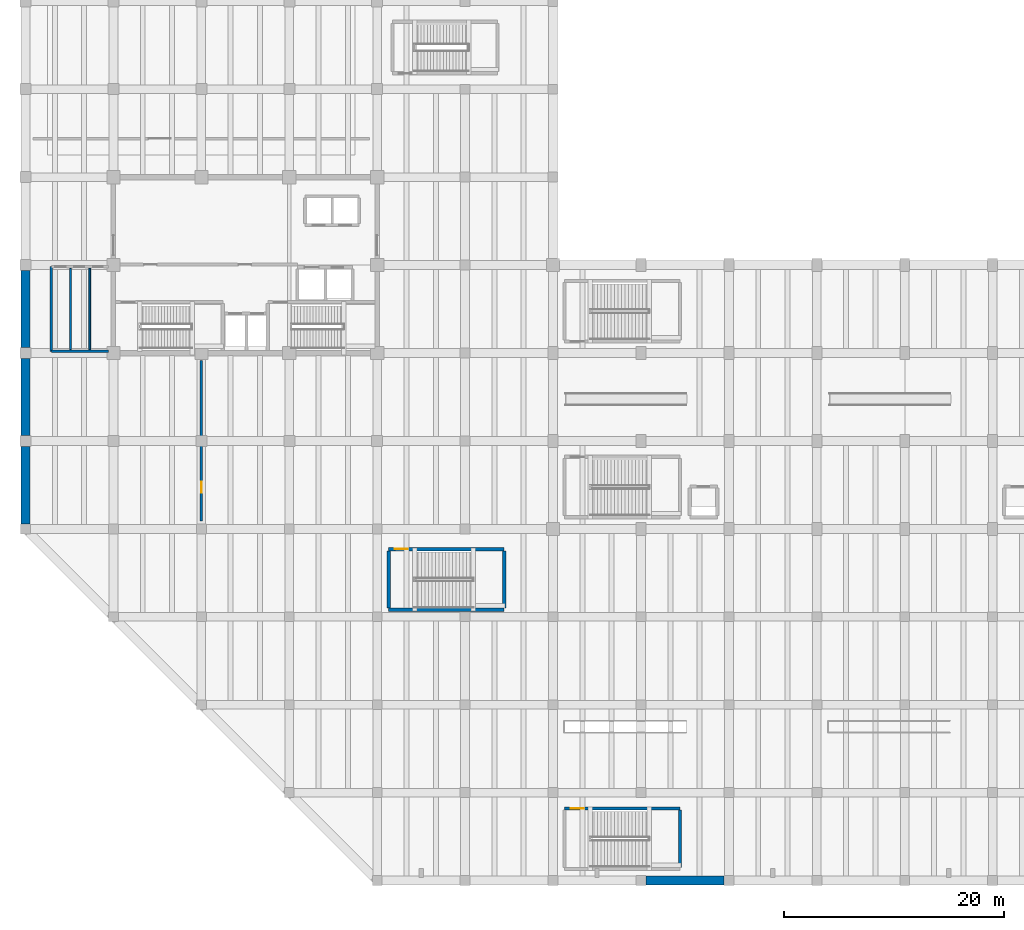
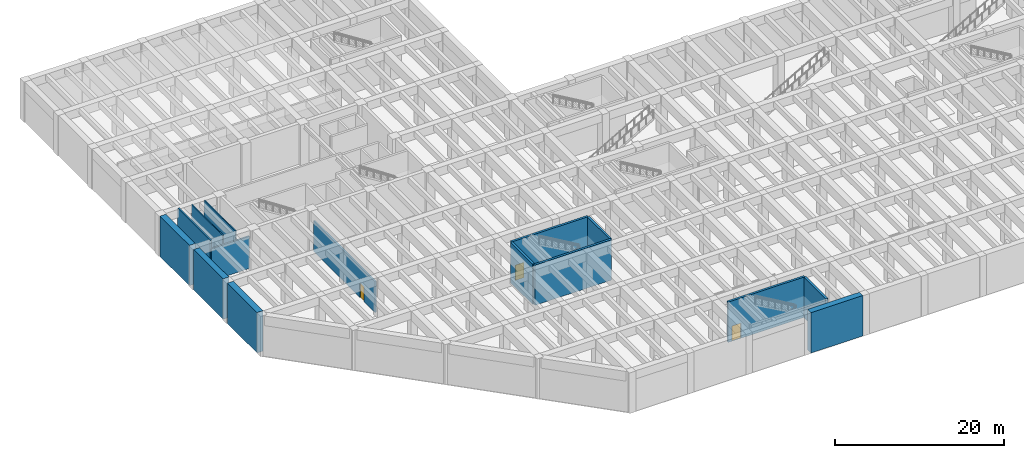
# One storey, part 7 of 24: 15 walls, 3 doors, 3 openings.
"""IFC4 building model written with IfcOpenShell, lengths in metres."""

from ifc_helpers import new_model, si_unit, direction, frame, frame_2d, origin, place, context, subcontext, project, spatial, rectangle, extrude, material, layer, layer_set, type_object, element, fill, save


model = new_model("IFC4")

# Units and contexts
model_context = context("Model", 3, precision=1e-05, world=origin(), true_north=direction((0.0, 1.0)))
body_context = subcontext(model_context, "Body", "Model", "MODEL_VIEW")
ifc_project = project(units=[si_unit("LENGTHUNIT", "METRE"), si_unit("AREAUNIT", "SQUARE_METRE"), si_unit("VOLUMEUNIT", "CUBIC_METRE"), si_unit("PLANEANGLEUNIT", "RADIAN"), si_unit("MASSUNIT", "GRAM", prefix="KILO")], contexts=[model_context])

# Site, building, storey
site_placement = place(None, origin())
site = spatial("IfcSite", under=ifc_project, at=site_placement, CompositionType="ELEMENT")
building_placement = place(site_placement, origin())
building = spatial("IfcBuilding", under=site, at=building_placement, Name="Varnela Railside Interchange", CompositionType="ELEMENT")
storey_placement = place(building_placement, frame((0.0, 0.0, -6.300048828125)))
storey = spatial("IfcBuildingStorey", under=building, at=storey_placement, Name="B1", CompositionType="ELEMENT", Elevation=-6.300048828125)

# Walls
ifc_material_1 = material(Name="Gypsum acoustic board")
ifc_layer_1 = layer(ifc_material_1, 0.14990234375)
ifc_layer_set_1 = layer_set([ifc_layer_1], Name="Gypsum acoustic board")
wall_type_1 = type_object("IfcWallType", Name="Acoustic Drywall Partition IW-01", PredefinedType="PARTITIONING", material=ifc_layer_set_1)
for number, where, z_axis, x_axis, name in (
    (1, (8.10009765625, 54.300048828125, 0.0), (0.0, 0.0, 1.0), (0.0, 1.0, 0.0), "Acoustic Drywall Partition IW-01 (B1) (WL-0245)"),
    (2, (9.85009765625, 54.300048828125, 0.0), (0.0, 0.0, 1.0), (0.0, 1.0, 0.0), "Acoustic Drywall Partition IW-01 (B1) (WL-0246)"),
):
    element("IfcWall", number, at=place(storey_placement, frame(where, z_axis=z_axis, x_axis=x_axis)), inside=storey, type_object=wall_type_1, Name=name, PredefinedType="PARTITIONING", context=body_context, shape_type="SweptSolid", body=[
        extrude(rectangle(XDim=7.39990234375, YDim=0.14990234375, at=frame_2d((3.699951171875, 0.0))), origin(), (0.0, 0.0, 1.0), 5.85009765625),
    ])

# Wall, opening, door
ifc_material_2 = material(Name="Concrete C40", Category="concrete")
ifc_layer_2 = layer(ifc_material_2, 0.22998046875)
ifc_layer_set_2 = layer_set([ifc_layer_2], Name="Concrete C40")
wall_type_2 = type_object("IfcWallType", Name="Fire Compartment Wall EI90 FW-02", PredefinedType="SOLIDWALL", material=ifc_layer_set_2)
wall_1_placement = place(storey_placement, frame((20.0, 38.699951171875, 0.0), z_axis=(0.0, 0.0, 1.0), x_axis=(0.0, 1.0, 0.0)))
wall_1 = element("IfcWall", 3, at=wall_1_placement, inside=storey, type_object=wall_type_2, Name="Fire Compartment Wall EI90 FW-02 (B1) (WL-0244)", PredefinedType="SOLIDWALL", context=body_context, shape_type="SweptSolid", body=[
    extrude(rectangle(XDim=14.60009765625, YDim=0.219970703125, at=frame_2d((7.300048828125, 0.0))), origin(), (0.0, 0.0, 1.0), 4.449951171875),
])
opening_1_placement = place(wall_1_placement, frame((2.60009765625, 0.0, 0.0)))
opening_1 = element("IfcOpeningElement", 4, at=opening_1_placement, cuts=wall_1, Name="Opening D-145", PredefinedType="OPENING", context=body_context, shape_type="SweptSolid", body=[
    extrude(rectangle(XDim=1.0, YDim=2.14990234375, at=frame_2d((0.5, 1.074951171875))), frame((0.0, 0.119873046875, 0.0), z_axis=(0.0, -1.0, 0.0), x_axis=(1.0, 0.0, 0.0)), (0.0, 0.0, 1.0), 0.239990234375),
])
ifc_material_3 = material(Name="Steel AR 350 (350 MPa)", Category="steel")
door_type_1 = type_object("IfcDoorType", Name="DR-SGL-1000-FD60", OperationType="NOTDEFINED", PredefinedType="DOOR", material=ifc_material_3)
door_1_placement = place(opening_1_placement, origin())
door_1 = element("IfcDoor", 5, at=door_1_placement, inside=storey, type_object=door_type_1, Name="Door D-145", OperationType="SINGLE_SWING_RIGHT", OverallHeight=2.14990234375, OverallWidth=1.0, PredefinedType="DOOR", context=body_context, shape_type="SweptSolid", body=[
    extrude(rectangle(XDim=1.0, YDim=2.14990234375, at=frame_2d((0.5, 1.074951171875))), frame((0.0, 0.02490234375, 0.0), z_axis=(0.0, -1.0, 0.0), x_axis=(1.0, 0.0, 0.0)), (0.0, 0.0, 1.0), 0.050048828125),
])
fill(opening_1, door_1)

# Walls
ifc_material_4 = material(Name="Masonry concrete block", Category="masonry")
ifc_layer_3 = layer(ifc_material_4, 0.2099609375)
ifc_layer_set_3 = layer_set([ifc_layer_3], Name="Masonry concrete block")
wall_type_3 = type_object("IfcWallType", Name="Sanitary Plumbing Chase Wall IW-04", PredefinedType="PLUMBINGWALL", material=ifc_layer_set_3)
wall_2_placement = place(storey_placement, frame((6.35009765625, 54.14990234375, 0.0), z_axis=(0.0, 0.0, 1.0), x_axis=(1.0, 0.0, 0.0)))
element("IfcWall", 6, at=wall_2_placement, inside=storey, type_object=wall_type_3, Name="Sanitary Plumbing Chase Wall IW-04 (B1) (WL-0248)", PredefinedType="PLUMBINGWALL", context=body_context, shape_type="SweptSolid", body=[
    extrude(rectangle(XDim=5.199951171875, YDim=0.2099609375, at=frame_2d((2.60009765625, 0.0))), origin(), (0.0, 0.0, 1.0), 4.650146484375),
])
wall_3_placement = place(storey_placement, frame((6.35009765625, 54.14990234375, 0.0), z_axis=(0.0, 0.0, 1.0), x_axis=(0.0, 1.0, 0.0)))
element("IfcWall", 7, at=wall_3_placement, inside=storey, type_object=wall_type_3, Name="Sanitary Plumbing Chase Wall IW-04 (B1) (WL-0249)", PredefinedType="PLUMBINGWALL", context=body_context, shape_type="SweptSolid", body=[
    extrude(rectangle(XDim=7.7001953125, YDim=0.2099609375, at=frame_2d((3.85009765625, 0.0))), origin(), (0.0, 0.0, 1.0), 5.85009765625),
])

# Wall, opening, door
ifc_material_5 = material(Name="Concrete C50", Category="concrete")
ifc_layer_4 = layer(ifc_material_5, 0.300048828125)
ifc_layer_set_4 = layer_set([ifc_layer_4], Name="Concrete C50")
wall_type_4 = type_object("IfcWallType", Name="Stair & Lift Shaft Wall SW-03", PredefinedType="SHEAR", material=ifc_layer_set_4)
wall_4_placement = place(storey_placement, frame((37.050048828125, 36.14990234375, 0.0), z_axis=(0.0, 0.0, 1.0), x_axis=(1.0, 0.0, 0.0)))
wall_4 = element("IfcWall", 8, at=wall_4_placement, inside=storey, type_object=wall_type_4, Name="Stair & Lift Shaft Wall SW-03 (B1) (WL-0291)", PredefinedType="SHEAR", context=body_context, shape_type="SweptSolid", body=[
    extrude(rectangle(XDim=10.5, YDim=0.300048828125, at=frame_2d((5.25, 0.0))), origin(), (0.0, 0.0, 1.0), 5.85009765625),
])
opening_2_placement = place(wall_4_placement, frame((0.550048828125, 0.0, 0.0)))
opening_2 = element("IfcOpeningElement", 9, at=opening_2_placement, cuts=wall_4, Name="Opening D-136", PredefinedType="OPENING", context=body_context, shape_type="SweptSolid", body=[
    extrude(rectangle(XDim=1.199951171875, YDim=2.199951171875, at=frame_2d((0.60009765625, 1.10009765625))), frame((0.0, 0.159912109375, 0.0), z_axis=(0.0, -1.0, 0.0), x_axis=(1.0, 0.0, 0.0)), (0.0, 0.0, 1.0), 0.320068359375),
])
door_type_2 = type_object("IfcDoorType", Name="DR-SGL-1200-FD90", OperationType="NOTDEFINED", PredefinedType="DOOR", material=ifc_material_3)
door_2_placement = place(opening_2_placement, frame((1.199951171875, 0.0, 0.0), z_axis=(0.0, 0.0, 1.0), x_axis=(-1.0, 0.0, 0.0)))
door_2 = element("IfcDoor", 10, at=door_2_placement, inside=storey, type_object=door_type_2, Name="Door D-136", OperationType="SINGLE_SWING_RIGHT", OverallHeight=2.199951171875, OverallWidth=1.199951171875, PredefinedType="DOOR", context=body_context, shape_type="SweptSolid", body=[
    extrude(rectangle(XDim=1.199951171875, YDim=2.199951171875, at=frame_2d((0.60009765625, 1.10009765625))), frame((0.0, 0.02490234375, 0.0), z_axis=(0.0, -1.0, 0.0), x_axis=(1.0, 0.0, 0.0)), (0.0, 0.0, 1.0), 0.050048828125),
])
fill(opening_2, door_2)

# Walls
wall_5_placement = place(storey_placement, frame((37.050048828125, 30.64990234375, 0.0), z_axis=(0.0, 0.0, 1.0), x_axis=(1.0, 0.0, 0.0)))
element("IfcWall", 11, at=wall_5_placement, inside=storey, type_object=wall_type_4, Name="Stair & Lift Shaft Wall SW-03 (B1) (WL-0292)", PredefinedType="SHEAR", context=body_context, shape_type="SweptSolid", body=[
    extrude(rectangle(XDim=10.5, YDim=0.300048828125, at=frame_2d((5.25, 0.0))), origin(), (0.0, 0.0, 1.0), 5.85009765625),
])
for number, where, z_axis, x_axis, name in (
    (12, (37.050048828125, 30.800048828125, 0.0), (0.0, 0.0, 1.0), (0.0, 1.0, 0.0), "Stair & Lift Shaft Wall SW-03 (B1) (WL-0293)"),
    (13, (47.550048828125, 30.800048828125, 0.0), (0.0, 0.0, 1.0), (0.0, 1.0, 0.0), "Stair & Lift Shaft Wall SW-03 (B1) (WL-0290)"),
):
    element("IfcWall", number, at=place(storey_placement, frame(where, z_axis=z_axis, x_axis=x_axis)), inside=storey, type_object=wall_type_4, Name=name, PredefinedType="SHEAR", context=body_context, shape_type="SweptSolid", body=[
        extrude(rectangle(XDim=5.199951171875, YDim=0.300048828125, at=frame_2d((2.60009765625, 0.0))), origin(), (0.0, 0.0, 1.0), 5.85009765625),
    ])

# Wall, opening, door
wall_6_placement = place(storey_placement, frame((53.050048828125, 12.550048828125, 0.0), z_axis=(0.0, 0.0, 1.0), x_axis=(1.0, 0.0, 0.0)))
wall_6 = element("IfcWall", 14, at=wall_6_placement, inside=storey, type_object=wall_type_4, Name="Stair & Lift Shaft Wall SW-03 (B1) (WL-0299)", PredefinedType="SHEAR", context=body_context, shape_type="SweptSolid", body=[
    extrude(rectangle(XDim=10.5, YDim=0.300048828125, at=frame_2d((5.25, 0.0))), origin(), (0.0, 0.0, 1.0), 5.85009765625),
])
opening_3_placement = place(wall_6_placement, frame((0.550048828125, 0.0, 0.0)))
opening_3 = element("IfcOpeningElement", 15, at=opening_3_placement, cuts=wall_6, Name="Opening D-138", PredefinedType="OPENING", context=body_context, shape_type="SweptSolid", body=[
    extrude(rectangle(XDim=1.199951171875, YDim=2.199951171875, at=frame_2d((0.60009765625, 1.10009765625))), frame((0.0, 0.159912109375, 0.0), z_axis=(0.0, -1.0, 0.0), x_axis=(1.0, 0.0, 0.0)), (0.0, 0.0, 1.0), 0.320068359375),
])
door_3_placement = place(opening_3_placement, frame((1.199951171875, 0.0, 0.0), z_axis=(0.0, 0.0, 1.0), x_axis=(-1.0, 0.0, 0.0)))
door_3 = element("IfcDoor", 16, at=door_3_placement, inside=storey, type_object=door_type_2, Name="Door D-138", OperationType="SINGLE_SWING_RIGHT", OverallHeight=2.199951171875, OverallWidth=1.199951171875, PredefinedType="DOOR", context=body_context, shape_type="SweptSolid", body=[
    extrude(rectangle(XDim=1.199951171875, YDim=2.199951171875, at=frame_2d((0.60009765625, 1.10009765625))), frame((0.0, 0.02490234375, 0.0), z_axis=(0.0, -1.0, 0.0), x_axis=(1.0, 0.0, 0.0)), (0.0, 0.0, 1.0), 0.050048828125),
])
fill(opening_3, door_3)

# Walls
wall_7_placement = place(storey_placement, frame((63.550048828125, 7.199951171875, 0.0), z_axis=(0.0, 0.0, 1.0), x_axis=(0.0, 1.0, 0.0)))
element("IfcWall", 17, at=wall_7_placement, inside=storey, type_object=wall_type_4, Name="Stair & Lift Shaft Wall SW-03 (B1) (WL-0298)", PredefinedType="SHEAR", context=body_context, shape_type="SweptSolid", body=[
    extrude(rectangle(XDim=5.199951171875, YDim=0.300048828125, at=frame_2d((2.60009765625, 0.0))), origin(), (0.0, 0.0, 1.0), 5.85009765625),
])
ifc_layer_5 = layer(ifc_material_2, 0.800048828125)
ifc_layer_set_5 = layer_set([ifc_layer_5], Name="Concrete C40")
wall_type_5 = type_object("IfcWallType", Name="Station Box Retaining Wall DW-02", PredefinedType="USERDEFINED", material=ifc_layer_set_5)
wall_8_placement = place(storey_placement, frame((60.449951171875, 6.0, 0.0), z_axis=(0.0, 0.0, 1.0), x_axis=(1.0, 0.0, 0.0)))
element("IfcWall", 18, at=wall_8_placement, inside=storey, type_object=wall_type_5, Name="Station Box Retaining Wall DW-02 (B1) (WL-0221)", ObjectType="RETAININGWALL", PredefinedType="USERDEFINED", context=body_context, shape_type="SweptSolid", body=[
    extrude(rectangle(XDim=7.10009765625, YDim=0.800048828125, at=frame_2d((3.550048828125, 0.0))), origin(), (0.0, 0.0, 1.0), 5.85009765625),
])
for number, where, z_axis, x_axis, name in (
    (19, (4.0, 61.5, 0.0), (0.0, 0.0, 1.0), (0.0, -1.0, 0.0), "Station Box Retaining Wall DW-02 (B1) (WL-0238)"),
    (20, (4.0, 53.5, 0.0), (0.0, 0.0, 1.0), (0.0, -1.0, 0.0), "Station Box Retaining Wall DW-02 (B1) (WL-0239)"),
):
    element("IfcWall", number, at=place(storey_placement, frame(where, z_axis=z_axis, x_axis=x_axis)), inside=storey, type_object=wall_type_5, Name=name, ObjectType="RETAININGWALL", PredefinedType="USERDEFINED", context=body_context, shape_type="SweptSolid", body=[
        extrude(rectangle(XDim=7.0, YDim=0.800048828125, at=frame_2d((3.5, 0.0))), origin(), (0.0, 0.0, 1.0), 5.85009765625),
    ])
wall_9_placement = place(storey_placement, frame((4.0, 45.5, 0.0), z_axis=(0.0, 0.0, 1.0), x_axis=(0.0, -1.0, 0.0)))
element("IfcWall", 21, at=wall_9_placement, inside=storey, type_object=wall_type_5, Name="Station Box Retaining Wall DW-02 (B1) (WL-0240)", ObjectType="RETAININGWALL", PredefinedType="USERDEFINED", context=body_context, shape_type="SweptSolid", body=[
    extrude(rectangle(XDim=7.050048828125, YDim=0.800048828125, at=frame_2d((3.52490234375, 0.0))), origin(), (0.0, 0.0, 1.0), 5.85009765625),
])

save(model, "model.ifc")
